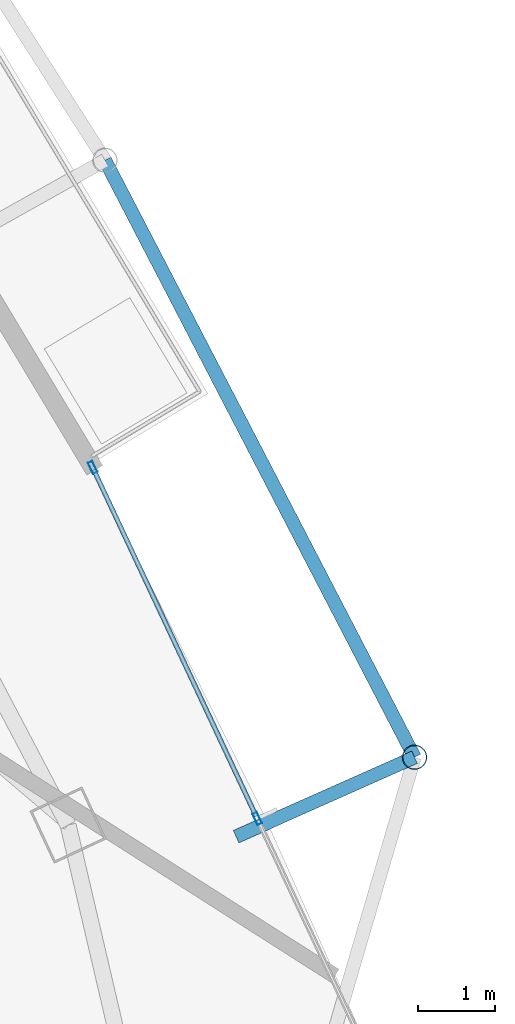
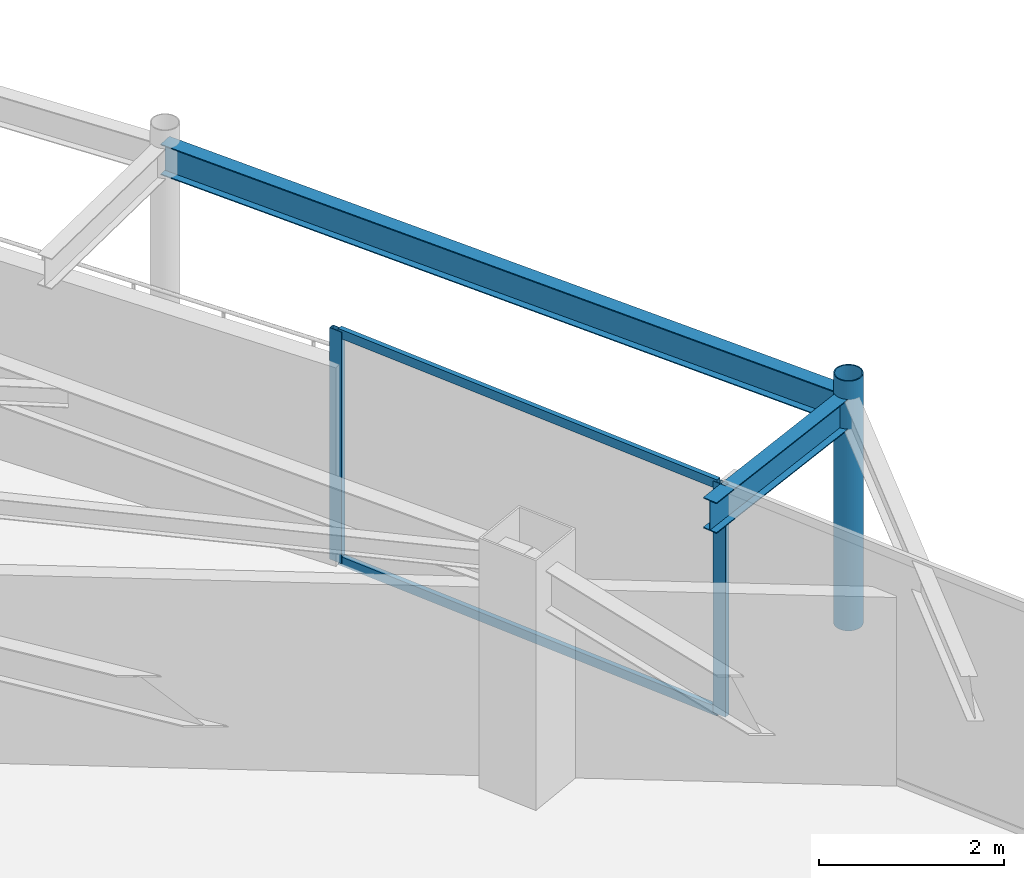
# One storey, part 20 of 33: 5 members, 2 beams, 1 element without a shape of its own.
"""IFC4 building model written with IfcOpenShell, lengths in metres."""

import ifcopenshell
import ifcopenshell.guid

model = None  # the IFC model being written
_history = None  # IfcOwnerHistory: only IFC2X3 demands one
_inside = {}  # id of a spatial element -> (the spatial element, [elements in it])
_under = {}  # id of a project, library or spatial element -> (it, [spatial elements below it])
_declared = {}  # id of a project -> (the project, [libraries it declares])
_typed = {}  # id of a type object -> (the type object, [elements of that type])
_made_of = {}  # id of a material, layer set ... -> (it, [elements and type objects made of it])


def new_model(schema):
    """Start an empty IFC model of exactly this schema.

    Asked for "IFC4X3", IfcOpenShell would pick the latest addendum, in which some entities
    have other attributes; the version numbers below select the first issue.
    IFC2X3 requires an IfcOwnerHistory on every rooted entity: one is made here for all.
    """
    global model, _history
    if schema == "IFC4X3":
        model = ifcopenshell.file(schema_version=(4, 3, 0, 0))
    else:
        model = ifcopenshell.file(schema=schema)
    _inside.clear()
    _under.clear()
    _declared.clear()
    _typed.clear()
    _made_of.clear()
    _history = None
    if model.schema == "IFC2X3":
        org = make("IfcOrganization", Name="unknown")
        user = make(
            "IfcPersonAndOrganization",
            ThePerson=make("IfcPerson", FamilyName="unknown"),
            TheOrganization=org,
        )
        app = make(
            "IfcApplication",
            ApplicationDeveloper=org,
            Version="unknown",
            ApplicationFullName="unknown",
            ApplicationIdentifier="unknown",
        )
        _history = make(
            "IfcOwnerHistory",
            OwningUser=user,
            OwningApplication=app,
            ChangeAction="ADDED",
            CreationDate=0,
        )
    return model


def make(cls, **values):
    """One entity of the class cls with the attributes given. An attribute that is None is left unset."""
    return model.create_entity(
        cls, **{name: value for name, value in values.items() if value is not None}
    )


def rooted(cls, **values):
    """An entity with a GlobalId (a new one), such as an element, a storey or a relation."""
    return make(cls, GlobalId=ifcopenshell.guid.new(), OwnerHistory=_history, **values)


def si_unit(unit_type, name, prefix=None):
    """IfcSIUnit, for example si_unit("LENGTHUNIT", "METRE", prefix="MILLI")."""
    return make("IfcSIUnit", UnitType=unit_type, Prefix=prefix, Name=name)


def assignment(units):
    """IfcUnitAssignment: the units of a project."""
    return None if units is None else make("IfcUnitAssignment", Units=units)


def point(xyz):
    """IfcCartesianPoint."""
    return None if xyz is None else make("IfcCartesianPoint", Coordinates=xyz)


def direction(xyz):
    """IfcDirection."""
    return None if xyz is None else make("IfcDirection", DirectionRatios=xyz)


def frame(location, z_axis=None, x_axis=None):
    """IfcAxis2Placement3D, a coordinate frame: its origin and axes. An axis left out is left unset."""
    return make(
        "IfcAxis2Placement3D",
        Location=point(location),
        Axis=direction(z_axis),
        RefDirection=direction(x_axis),
    )


def frame_2d(location, x_axis=None):
    """IfcAxis2Placement2D, a coordinate frame in the plane: its origin and x axis."""
    return make(
        "IfcAxis2Placement2D", Location=point(location), RefDirection=direction(x_axis)
    )


def origin():
    """The frame at (0, 0, 0) with its axes left unset."""
    return frame((0.0, 0.0, 0.0))


def origin_2d():
    """The frame at (0, 0) in the plane with its x axis left unset."""
    return frame_2d((0.0, 0.0))


def place(relative_to, where):
    """IfcLocalPlacement: puts the frame where relative to a parent placement (None: the world)."""
    return make(
        "IfcLocalPlacement", PlacementRelTo=relative_to, RelativePlacement=where
    )


def context(
    kind, dimensions, precision=None, world=None, true_north=None, identifier=None
):
    """IfcGeometricRepresentationContext, for example the 3D "Model" context."""
    return make(
        "IfcGeometricRepresentationContext",
        ContextIdentifier=identifier,
        ContextType=kind,
        CoordinateSpaceDimension=dimensions,
        Precision=precision,
        WorldCoordinateSystem=world,
        TrueNorth=true_north,
    )


def subcontext(parent, identifier, kind, view, scale=None):
    """IfcGeometricRepresentationSubContext, for example "Body" below "Model"."""
    return make(
        "IfcGeometricRepresentationSubContext",
        ContextIdentifier=identifier,
        ContextType=kind,
        ParentContext=parent,
        TargetScale=scale,
        TargetView=view,
    )


def project(units=None, contexts=None):
    """IfcProject with its units and contexts."""
    return rooted(
        "IfcProject",
        Name="project",
        RepresentationContexts=contexts,
        UnitsInContext=assignment(units),
    )


def spatial(cls, under=None, at=None, **own):
    """A site, building, storey or space (cls), placed at a placement, below another one or the project."""
    s = rooted(cls, ObjectPlacement=at, **own)
    if under is not None:
        _under.setdefault(under.id(), (under, []))[1].append(s)
    return s


def profile(cls, at=None, kind="AREA", **sizes):
    """A parametric profile (cls). Its sizes go by their IFC names, for example OverallWidth=200.0."""
    return make(cls, ProfileType=kind, Position=at, **sizes)


def hollow_rectangle(**sizes):
    """IfcRectangleHollowProfileDef."""
    return profile("IfcRectangleHollowProfileDef", **sizes)


def hollow_circle(**sizes):
    """IfcCircleHollowProfileDef."""
    return profile("IfcCircleHollowProfileDef", **sizes)


def i_section(**sizes):
    """IfcIShapeProfileDef."""
    return profile("IfcIShapeProfileDef", **sizes)


def extrude(swept, where, along, depth):
    """IfcExtrudedAreaSolid: the profile swept, set in the frame where, extruded along a direction by depth."""
    return make(
        "IfcExtrudedAreaSolid",
        SweptArea=swept,
        Position=where,
        ExtrudedDirection=direction(along),
        Depth=depth,
    )


def shape(context_of_items, identifier, shape_type, items):
    """IfcShapeRepresentation: the items that make up one representation, for example the "Body"."""
    return make(
        "IfcShapeRepresentation",
        ContextOfItems=context_of_items,
        RepresentationIdentifier=identifier,
        RepresentationType=shape_type,
        Items=items,
    )


def material(Name=None, Category=None):
    """IfcMaterial."""
    return make("IfcMaterial", Name=Name, Category=Category)


def layer(
    of_material, thickness, ventilated=None, Name=None, Category=None, Priority=None
):
    """IfcMaterialLayer: one layer of a wall or slab, of a material (None: an air gap)."""
    return make(
        "IfcMaterialLayer",
        Material=of_material,
        LayerThickness=thickness,
        IsVentilated=ventilated,
        Name=Name,
        Category=Category,
        Priority=Priority,
    )


def layer_set(layers, Name=None):
    """IfcMaterialLayerSet."""
    return make("IfcMaterialLayerSet", MaterialLayers=layers, LayerSetName=Name)


def material_profile(
    of_material, cross_section, Name=None, Category=None, Priority=None
):
    """IfcMaterialProfile: a cross section and its material."""
    return make(
        "IfcMaterialProfile",
        Name=Name,
        Material=of_material,
        Profile=cross_section,
        Priority=Priority,
        Category=Category,
    )


def profile_set(profiles, Name=None, composite=None):
    """IfcMaterialProfileSet."""
    return make(
        "IfcMaterialProfileSet",
        Name=Name,
        MaterialProfiles=profiles,
        CompositeProfile=composite,
    )


def made_of(thing, what):
    """Note that an element or type object is made of a material, layer set ...; save() writes the relation."""
    if what is not None:
        _made_of.setdefault(what.id(), (what, []))[1].append(thing)
    return thing


def type_object(cls, material=None, **own):
    """A type object (cls), such as IfcWallType, which elements share."""
    return made_of(rooted(cls, **own), material)


def element(
    cls,
    number,
    at=None,
    inside=None,
    cuts=None,
    type_object=None,
    material=None,
    context=None,
    identifier="Body",
    shape_type=None,
    held_by="IfcProductDefinitionShape",
    body=None,
    shapes=None,
    **own,
):
    """One element of the class cls, such as IfcWall. Its Tag is "e" and its number.

    at: its placement. inside: the storey or other place that contains it. cuts: it is an
    opening in that element (IfcRelVoidsElement). A single representation is given by context,
    identifier, shape_type and body (its items); several are given by shapes. held_by: the class
    of the entity that holds the representations. save() writes the other relations.
    """
    e = rooted(cls, Tag="e%d" % number, ObjectPlacement=at, **own)
    if body is not None:
        shapes = [shape(context, identifier, shape_type, body)]
    if shapes is not None:
        e.Representation = make(held_by, Representations=shapes)
    if inside is not None:
        _inside.setdefault(inside.id(), (inside, []))[1].append(e)
    if cuts is not None:
        rooted(
            "IfcRelVoidsElement", RelatingBuildingElement=cuts, RelatedOpeningElement=e
        )
    if type_object is not None:
        _typed.setdefault(type_object.id(), (type_object, []))[1].append(e)
    return made_of(e, material)


def aggregate(whole, parts):
    """IfcRelAggregates: a whole, such as a stair, and the parts it consists of."""
    return rooted("IfcRelAggregates", RelatingObject=whole, RelatedObjects=parts)


def save(model, path):
    """Write the relations noted so far, then the file.

    IfcRelAggregates (storeys below a building ...), IfcRelContainedInSpatialStructure (elements
    in a storey), IfcRelDefinesByType, IfcRelAssociatesMaterial and IfcRelDeclares: one each for
    every whole, place, type object, material and project.
    """
    for whole, parts in _under.values():
        aggregate(whole, parts)
    for where, things in _inside.values():
        rooted(
            "IfcRelContainedInSpatialStructure",
            RelatedElements=things,
            RelatingStructure=where,
        )
    for kind, things in _typed.values():
        rooted("IfcRelDefinesByType", RelatedObjects=things, RelatingType=kind)
    for what, things in _made_of.values():
        rooted("IfcRelAssociatesMaterial", RelatedObjects=things, RelatingMaterial=what)
    for by, libraries in _declared.values():
        rooted("IfcRelDeclares", RelatingContext=by, RelatedDefinitions=libraries)
    model.write(path)


model = new_model("IFC4")

# Units and contexts
model_context = context("Model", 3, precision=1e-05, world=origin(), true_north=direction((0.0, 1.0)))
body_context = subcontext(model_context, "Body", "Model", "MODEL_VIEW")
ifc_project = project(units=[si_unit("LENGTHUNIT", "METRE"), si_unit("AREAUNIT", "SQUARE_METRE"), si_unit("VOLUMEUNIT", "CUBIC_METRE"), si_unit("PLANEANGLEUNIT", "RADIAN"), si_unit("MASSUNIT", "GRAM", prefix="KILO")], contexts=[model_context])

# Site, building, storey
site_placement = place(None, origin())
site = spatial("IfcSite", under=ifc_project, at=site_placement, CompositionType="ELEMENT")
building_placement = place(site_placement, origin())
building = spatial("IfcBuilding", under=site, at=building_placement, Name="Orvanel Arch Residences", CompositionType="ELEMENT")
storey_placement = place(building_placement, frame((0.0, 0.0, 206.300048828125)))
storey = spatial("IfcBuildingStorey", under=building, at=storey_placement, Name="L58", CompositionType="ELEMENT", Elevation=206.300048828125)

# Curtain wall, members
ifc_material_1 = material(Name="Bronze-anodised aluminium AA6063-T6", Category="aluminium")
ifc_layer = layer(ifc_material_1, 0.175048828125)
ifc_layer_set = layer_set([ifc_layer], Name="Bronze-anodised aluminium AA6063-T6")
curtain_wall_type = type_object("IfcCurtainWallType", Name="CW4-HI-SYS", PredefinedType="NOTDEFINED", material=ifc_layer_set)
curtain_wall_placement = place(storey_placement, origin())
curtain_wall = element("IfcCurtainWall", 1, at=curtain_wall_placement, inside=storey, type_object=curtain_wall_type, Name="L58 CW4-HI-SYS Unitised Curtain Wall", PredefinedType="NOTDEFINED")
ifc_material_profile_1 = material_profile(ifc_material_1, hollow_rectangle(XDim=0.06494140625, YDim=0.159912109375, WallThickness=0.00390625, at=origin_2d()), Name="ALU160x65x4")
ifc_profile_set_1 = profile_set([ifc_material_profile_1], Name="Bronze-anodised aluminium AA6063-T6")
member_type_1 = type_object("IfcMemberType", Name="MUL-160x65", PredefinedType="MULLION", material=ifc_profile_set_1)
member_1_placement = place(storey_placement, frame((52.10205078125, 19.7275390625, 0.0), z_axis=(0.0, 0.0, 1.0), x_axis=(-0.905502538529, -0.424340844978, 0.0)))
member_1 = element("IfcMember", 2, at=member_1_placement, type_object=member_type_1, Name="CW-S4 mullion 2", PredefinedType="MULLION", context=body_context, shape_type="SweptSolid", body=[
    extrude(hollow_rectangle(XDim=0.06494140625, YDim=0.159912109375, WallThickness=0.00390625, at=origin_2d()), origin(), (0.0, 0.0, 1.0), 3.06005859375),
])
member_2_placement = place(storey_placement, frame((49.953857421875, 24.3115234375, 0.0), z_axis=(0.0, 0.0, 1.0), x_axis=(-0.905502538529, -0.424340844978, 0.0)))
member_2 = element("IfcMember", 3, at=member_2_placement, type_object=member_type_1, Name="CW-S4 mullion 3", PredefinedType="MULLION", context=body_context, shape_type="SweptSolid", body=[
    extrude(hollow_rectangle(XDim=0.06494140625, YDim=0.159912109375, WallThickness=0.00390625, at=origin_2d()), origin(), (0.0, 0.0, 1.0), 3.06005859375),
])

# Beams
ifc_material_2 = material(Name="Structural steel AS/NZS 3679.1 Grade 300 (300 MPa)", Category="steel")
ifc_material_profile_2 = material_profile(ifc_material_2, i_section(OverallWidth=0.177978515625, OverallDepth=0.406005859375, WebThickness=0.0078125, FlangeThickness=0.0126953125, at=origin_2d()), Name="410UB59.7")
ifc_profile_set_2 = profile_set([ifc_material_profile_2], Name="Structural steel AS/NZS 3679.1 Grade 300 (300 MPa)")
beam_type = type_object("IfcBeamType", Name="OB-410UB-EXT", PredefinedType="SPANDREL", material=ifc_profile_set_2)
beam_1_placement = place(storey_placement, frame((51.826904296875, 19.490966796875, 2.85693359375), z_axis=(0.913732571389, 0.406316118291, 0.0), x_axis=(-0.406316118291, 0.913732571389, 0.0)))
element("IfcBeam", 4, at=beam_1_placement, inside=storey, type_object=beam_type, Name="L58 Outer Frame Radial Tie Beam 09", PredefinedType="SPANDREL", context=body_context, shape_type="SweptSolid", body=[
    extrude(i_section(OverallWidth=0.177978515625, OverallDepth=0.406005859375, WebThickness=0.0078125, FlangeThickness=0.0126953125, at=origin_2d()), origin(), (0.0, 0.0, 1.0), 2.550048828125),
])
beam_2_placement = place(storey_placement, frame((54.156982421875, 20.527099609375, 2.85693359375), z_axis=(-0.460333396268, 0.887746114765, 0.0), x_axis=(-0.887746114765, -0.460333396268, 0.0)))
element("IfcBeam", 5, at=beam_2_placement, inside=storey, type_object=beam_type, Name="L58 Outer Perimeter Floor Ring Beam 09", PredefinedType="SPANDREL", context=body_context, shape_type="SweptSolid", body=[
    extrude(i_section(OverallWidth=0.177978515625, OverallDepth=0.406005859375, WebThickness=0.0078125, FlangeThickness=0.0126953125, at=origin_2d()), origin(), (0.0, 0.0, 1.0), 8.780517578125),
])

# Member
ifc_material_3 = material(Name="Structural steel AS/NZS 1163 C350L0 (Grade 350)", Category="steel")
ifc_material_profile_3 = material_profile(ifc_material_3, hollow_circle(Radius=0.162109375, WallThickness=0.0126953125, at=origin_2d()), Name="CHS324x12.7")
ifc_profile_set_3 = profile_set([ifc_material_profile_3], Name="Structural steel AS/NZS 1163 C350L0 (Grade 350)")
member_type_2 = type_object("IfcMemberType", Name="ST-324CHS-EXT", PredefinedType="STRUT", material=ifc_profile_set_3)
member_3_placement = place(storey_placement, frame((54.156982421875, 20.527099609375, 0.0), z_axis=(0.0, 0.0, 1.0), x_axis=(1.0, 0.0, 0.0)))
element("IfcMember", 6, at=member_3_placement, inside=storey, type_object=member_type_2, Name="L58 Outer Perimeter Frame Post 09", PredefinedType="STRUT", context=body_context, shape_type="SweptSolid", body=[
    extrude(hollow_circle(Radius=0.162109375, WallThickness=0.0126953125, at=origin_2d()), origin(), (0.0, 0.0, 1.0), 3.300048828125),
])

ifc_material_profile_4 = material_profile(ifc_material_1, hollow_rectangle(XDim=0.06005859375, YDim=0.1201171875, WallThickness=0.00341796875, at=origin_2d()), Name="ALU120x60x3.5")
ifc_profile_set_4 = profile_set([ifc_material_profile_4], Name="Bronze-anodised aluminium AA6063-T6")
member_type_3 = type_object("IfcMemberType", Name="TRN-120x60", PredefinedType="USERDEFINED", material=ifc_profile_set_4)
member_4_placement = place(storey_placement, frame((52.088134765625, 19.7568359375, 0.030029296875), z_axis=(-0.424323732422, 0.905510557699, 0.0), x_axis=(-0.905510557699, -0.424323732422, 0.0)))
member_4 = element("IfcMember", 7, at=member_4_placement, type_object=member_type_3, Name="CW-S4 transom 2.1", ObjectType="TRANSOM", PredefinedType="USERDEFINED", context=body_context, shape_type="SweptSolid", body=[
    extrude(hollow_rectangle(XDim=0.06005859375, YDim=0.1201171875, WallThickness=0.00341796875, at=origin_2d()), origin(), (0.0, 0.0, 1.0), 4.99755859375),
])

member_5_placement = place(storey_placement, frame((52.088134765625, 19.7568359375, 3.030029296875), z_axis=(-0.424323732422, 0.905510557699, 0.0), x_axis=(-0.905510557699, -0.424323732422, 0.0)))
member_5 = element("IfcMember", 8, at=member_5_placement, type_object=member_type_3, Name="CW-S4 transom 2.2", ObjectType="TRANSOM", PredefinedType="USERDEFINED", context=body_context, shape_type="SweptSolid", body=[
    extrude(hollow_rectangle(XDim=0.06005859375, YDim=0.1201171875, WallThickness=0.00341796875, at=origin_2d()), origin(), (0.0, 0.0, 1.0), 4.99755859375),
])

aggregate(curtain_wall, [member_1, member_2, member_4, member_5])

save(model, "model.ifc")
